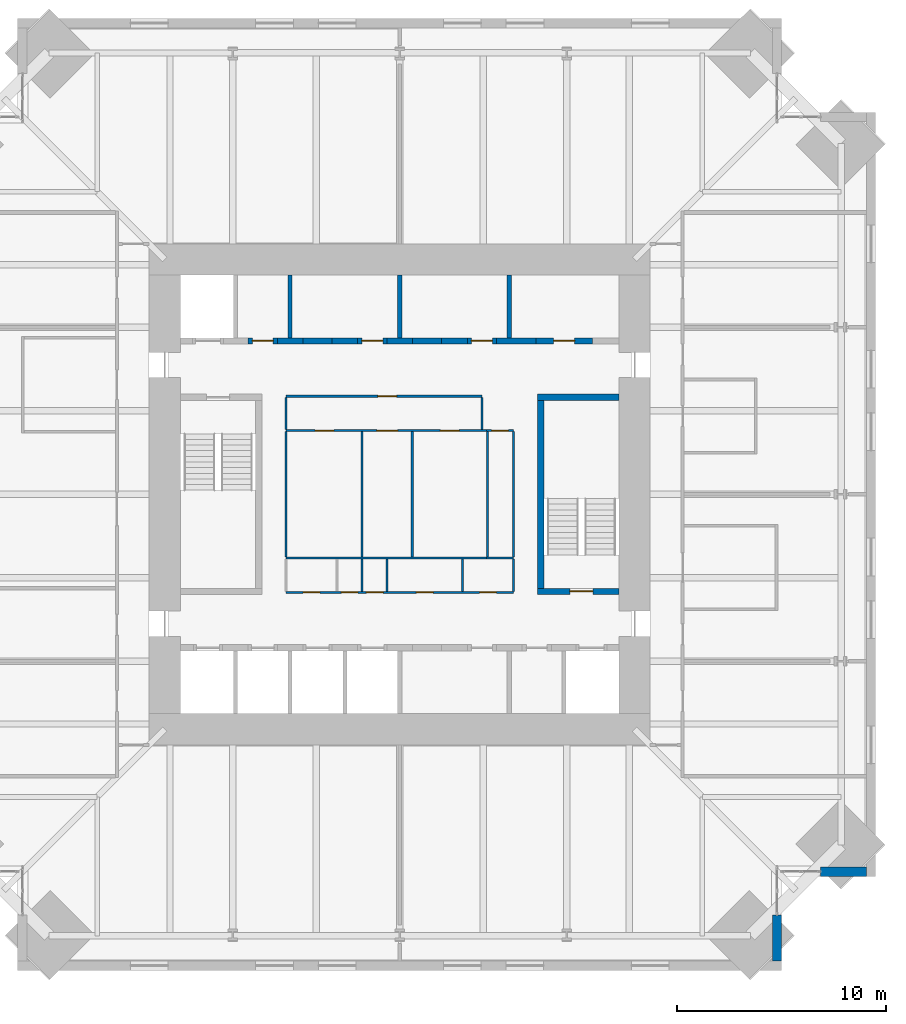
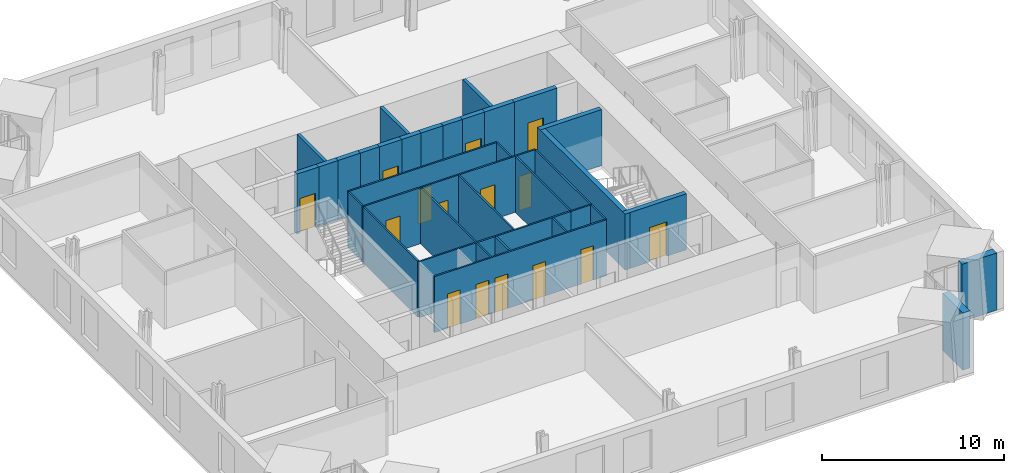
# One storey, part 12 of 15: 36 walls, 15 doors, 15 openings.
"""IFC4 building model written with IfcOpenShell, lengths in metres."""

from ifc_helpers import new_model, si_unit, direction, frame, frame_2d, origin, place, context, subcontext, project, spatial, rectangle, extrude, material, layer, layer_set, type_object, element, fill, save


model = new_model("IFC4")

# Units and contexts
model_context = context("Model", 3, precision=1e-05, world=origin(), true_north=direction((0.0, 1.0)))
body_context = subcontext(model_context, "Body", "Model", "MODEL_VIEW")
ifc_project = project(units=[si_unit("LENGTHUNIT", "METRE"), si_unit("AREAUNIT", "SQUARE_METRE"), si_unit("VOLUMEUNIT", "CUBIC_METRE"), si_unit("PLANEANGLEUNIT", "RADIAN"), si_unit("MASSUNIT", "GRAM", prefix="KILO")], contexts=[model_context])

# Site, building, storey
site_placement = place(None, origin())
site = spatial("IfcSite", under=ifc_project, at=site_placement, CompositionType="ELEMENT")
building_placement = place(site_placement, origin())
building = spatial("IfcBuilding", under=site, at=building_placement, Name="Peilmerk Tower", CompositionType="ELEMENT")
storey_placement = place(building_placement, frame((0.0, 0.0, 241.800048828125)))
storey = spatial("IfcBuildingStorey", under=building, at=storey_placement, Name="L53", CompositionType="ELEMENT", Elevation=241.800048828125)

# Walls
ifc_material_1 = material(Name="Precast concrete C45/55, board-marked finish", Category="concrete")
ifc_layer_1 = layer(ifc_material_1, 0.449951171875)
ifc_layer_set_1 = layer_set([ifc_layer_1], Name="Precast concrete C45/55, board-marked finish")
wall_type_1 = type_object("IfcWallType", Name="EW1 450 precast concrete facade wall, board-marked", PredefinedType="SOLIDWALL", material=ifc_layer_set_1)
for number, where, z_axis, x_axis, name in (
    (1, (18.074951171875, -20.153564453125, 0.0), (0.0, 0.0, 1.0), (0.0, -1.0, 0.0), "Facade wall SEA L53"),
    (2, (20.153564453125, -18.074951171875, 0.0), (0.0, 0.0, 1.0), (1.0, 0.0, 0.0), "Facade wall SEB L53"),
):
    element("IfcWall", number, at=place(storey_placement, frame(where, z_axis=z_axis, x_axis=x_axis)), inside=storey, type_object=wall_type_1, Name=name, PredefinedType="SOLIDWALL", context=body_context, shape_type="SweptSolid", body=[
        extrude(rectangle(XDim=2.196533203125, YDim=0.449951171875, at=frame_2d((1.09814453125, 0.0))), origin(), (0.0, 0.0, 1.0), 3.829833984375),
    ])
ifc_material_2 = material(Name="Concrete C35/45", Category="concrete")
ifc_layer_2 = layer(ifc_material_2, 0.300048828125)
ifc_layer_set_2 = layer_set([ifc_layer_2], Name="Concrete C35/45")
wall_type_2 = type_object("IfcWallType", Name="IW3 300 concrete stair enclosure wall, EI 120", PredefinedType="SOLIDWALL", material=ifc_layer_set_2)
wall_1_placement = place(storey_placement, frame((6.75, -4.800048828125, 0.0), z_axis=(0.0, 0.0, 1.0), x_axis=(0.0, 1.0, 0.0)))
element("IfcWall", 3, at=wall_1_placement, inside=storey, type_object=wall_type_2, Name="Stair 2 enclosure L53", PredefinedType="SOLIDWALL", context=body_context, shape_type="SweptSolid", body=[
    extrude(rectangle(XDim=9.60009765625, YDim=0.300048828125, at=frame_2d((4.800048828125, 0.0))), origin(), (0.0, 0.0, 1.0), 3.75),
])
wall_2_placement = place(storey_placement, frame((6.60009765625, 4.64990234375, 0.0), z_axis=(0.0, 0.0, 1.0), x_axis=(1.0, 0.0, 0.0)))
element("IfcWall", 4, at=wall_2_placement, inside=storey, type_object=wall_type_2, Name="Stair 2 enclosure L53", PredefinedType="SOLIDWALL", context=body_context, shape_type="SweptSolid", body=[
    extrude(rectangle(XDim=3.89990234375, YDim=0.300048828125, at=frame_2d((1.949951171875, 0.0))), origin(), (0.0, 0.0, 1.0), 3.75),
])

# Wall, opening, door
wall_3_placement = place(storey_placement, frame((10.5, -4.64990234375, 0.0), z_axis=(0.0, 0.0, 1.0), x_axis=(-1.0, 0.0, 0.0)))
wall_3 = element("IfcWall", 5, at=wall_3_placement, inside=storey, type_object=wall_type_2, Name="Stair 2 enclosure L53", PredefinedType="SOLIDWALL", context=body_context, shape_type="SweptSolid", body=[
    extrude(rectangle(XDim=3.89990234375, YDim=0.300048828125, at=frame_2d((1.949951171875, 0.0))), origin(), (0.0, 0.0, 1.0), 3.75),
])
opening_1_placement = place(wall_3_placement, frame((1.25, 0.0, 0.0)))
opening_1 = element("IfcOpeningElement", 6, at=opening_1_placement, cuts=wall_3, Name="Opening D4", PredefinedType="OPENING", context=body_context, shape_type="SweptSolid", body=[
    extrude(rectangle(XDim=1.10009765625, YDim=2.300048828125, at=frame_2d((0.550048828125, 1.14990234375))), frame((0.0, 0.159912109375, 0.0), z_axis=(0.0, -1.0, 0.0), x_axis=(1.0, 0.0, 0.0)), (0.0, 0.0, 1.0), 0.320068359375),
])
ifc_material_3 = material(Name="Steel door in steel frame", Category="steel")
door_type_1 = type_object("IfcDoorType", Name="D4 1100x2300 stair door, EI2 60", OperationType="SINGLE_SWING_RIGHT", PredefinedType="DOOR", material=ifc_material_3)
door_1_placement = place(opening_1_placement, frame((1.10009765625, 0.0, 0.0), z_axis=(0.0, 0.0, 1.0), x_axis=(-1.0, 0.0, 0.0)))
door_1 = element("IfcDoor", 7, at=door_1_placement, inside=storey, type_object=door_type_1, Name="Stair 2 door L53", OperationType="SINGLE_SWING_RIGHT", OverallHeight=2.300048828125, OverallWidth=1.10009765625, PredefinedType="DOOR", context=body_context, shape_type="SweptSolid", body=[
    extrude(rectangle(XDim=1.10009765625, YDim=2.300048828125, at=frame_2d((0.550048828125, 1.14990234375))), frame((0.0, 0.02490234375, 0.0), z_axis=(0.0, -1.0, 0.0), x_axis=(1.0, 0.0, 0.0)), (0.0, 0.0, 1.0), 0.050048828125),
])
fill(opening_1, door_1)

# Wall, openings, doors
ifc_material_4 = material(Name="Plasterboard on steel studs", Category="steel")
ifc_layer_3 = layer(ifc_material_4, 0.10009765625)
ifc_layer_set_3 = layer_set([ifc_layer_3], Name="Plasterboard on steel studs")
wall_type_3 = type_object("IfcWallType", Name="IW4 100 WC partition", PredefinedType="PARTITIONING", material=ifc_layer_set_3)
wall_4_placement = place(storey_placement, frame((-5.449951171875, 3.050048828125, 0.0), z_axis=(0.0, 0.0, 1.0), x_axis=(1.0, 0.0, 0.0)))
wall_4 = element("IfcWall", 8, at=wall_4_placement, inside=storey, type_object=wall_type_3, Name="WC wall L53", PredefinedType="PARTITIONING", context=body_context, shape_type="SweptSolid", body=[
    extrude(rectangle(XDim=9.599853515625, YDim=0.10009765625, at=frame_2d((4.7998046875, 0.0))), origin(), (0.0, 0.0, 1.0), 3.75),
])
opening_2_placement = place(wall_4_placement, frame((1.39990234375, 0.0, 0.0)))
opening_2 = element("IfcOpeningElement", 9, at=opening_2_placement, cuts=wall_4, Name="Opening D5", PredefinedType="OPENING", context=body_context, shape_type="SweptSolid", body=[
    extrude(rectangle(XDim=0.89990234375, YDim=2.300048828125, at=frame_2d((0.449951171875, 1.14990234375))), frame((0.0, 0.06005859375, 0.0), z_axis=(0.0, -1.0, 0.0), x_axis=(1.0, 0.0, 0.0)), (0.0, 0.0, 1.0), 0.1201171875),
])
opening_3_placement = place(wall_4_placement, frame((4.35009765625, 0.0, 0.0)))
opening_3 = element("IfcOpeningElement", 10, at=opening_3_placement, cuts=wall_4, Name="Opening D6", PredefinedType="OPENING", context=body_context, shape_type="SweptSolid", body=[
    extrude(rectangle(XDim=1.0, YDim=2.300048828125, at=frame_2d((0.5, 1.14990234375))), frame((0.0, 0.06005859375, 0.0), z_axis=(0.0, -1.0, 0.0), x_axis=(1.0, 0.0, 0.0)), (0.0, 0.0, 1.0), 0.1201171875),
])
opening_4_placement = place(wall_4_placement, frame((7.39990234375, 0.0, 0.0)))
opening_4 = element("IfcOpeningElement", 11, at=opening_4_placement, cuts=wall_4, Name="Opening D5", PredefinedType="OPENING", context=body_context, shape_type="SweptSolid", body=[
    extrude(rectangle(XDim=0.89990234375, YDim=2.300048828125, at=frame_2d((0.449951171875, 1.14990234375))), frame((0.0, 0.06005859375, 0.0), z_axis=(0.0, -1.0, 0.0), x_axis=(1.0, 0.0, 0.0)), (0.0, 0.0, 1.0), 0.1201171875),
])
ifc_material_5 = material(Name="Timber door in steel frame", Category="steel")
door_type_2 = type_object("IfcDoorType", Name="D5 900x2300 WC door", OperationType="SINGLE_SWING_LEFT", PredefinedType="DOOR", material=ifc_material_5)
door_2_placement = place(opening_2_placement, frame((0.89990234375, 0.0, 0.0), z_axis=(0.0, 0.0, 1.0), x_axis=(-1.0, 0.0, 0.0)))
door_2 = element("IfcDoor", 12, at=door_2_placement, inside=storey, type_object=door_type_2, Name="Female toilets door L53", OperationType="SINGLE_SWING_LEFT", OverallHeight=2.300048828125, OverallWidth=0.89990234375, PredefinedType="DOOR", context=body_context, shape_type="SweptSolid", body=[
    extrude(rectangle(XDim=0.89990234375, YDim=2.300048828125, at=frame_2d((0.449951171875, 1.14990234375))), frame((0.0, 0.02490234375, 0.0), z_axis=(0.0, -1.0, 0.0), x_axis=(1.0, 0.0, 0.0)), (0.0, 0.0, 1.0), 0.050048828125),
])
fill(opening_2, door_2)
door_3_placement = place(opening_4_placement, frame((0.89990234375, 0.0, 0.0), z_axis=(0.0, 0.0, 1.0), x_axis=(-1.0, 0.0, 0.0)))
door_3 = element("IfcDoor", 13, at=door_3_placement, inside=storey, type_object=door_type_2, Name="Male toilets door L53", OperationType="SINGLE_SWING_LEFT", OverallHeight=2.300048828125, OverallWidth=0.89990234375, PredefinedType="DOOR", context=body_context, shape_type="SweptSolid", body=[
    extrude(rectangle(XDim=0.89990234375, YDim=2.300048828125, at=frame_2d((0.449951171875, 1.14990234375))), frame((0.0, 0.02490234375, 0.0), z_axis=(0.0, -1.0, 0.0), x_axis=(1.0, 0.0, 0.0)), (0.0, 0.0, 1.0), 0.050048828125),
])
fill(opening_4, door_3)
door_type_3 = type_object("IfcDoorType", Name="D6 1000x2300 accessible WC door", OperationType="SLIDING_TO_LEFT", PredefinedType="DOOR", material=ifc_material_5)
door_4_placement = place(opening_3_placement, frame((1.0, 0.0, 0.0), z_axis=(0.0, 0.0, 1.0), x_axis=(-1.0, 0.0, 0.0)))
door_4 = element("IfcDoor", 14, at=door_4_placement, inside=storey, type_object=door_type_3, Name="Accessible WC door L53", OperationType="SLIDING_TO_LEFT", OverallHeight=2.300048828125, OverallWidth=1.0, PredefinedType="DOOR", context=body_context, shape_type="SweptSolid", body=[
    extrude(rectangle(XDim=1.0, YDim=2.300048828125, at=frame_2d((0.5, 1.14990234375))), frame((0.0, 0.02490234375, 0.0), z_axis=(0.0, -1.0, 0.0), x_axis=(1.0, 0.0, 0.0)), (0.0, 0.0, 1.0), 0.050048828125),
])
fill(opening_3, door_4)

# Walls
wall_5_placement = place(storey_placement, frame((4.14990234375, -3.050048828125, 0.0), z_axis=(0.0, 0.0, 1.0), x_axis=(-1.0, 0.0, 0.0)))
element("IfcWall", 15, at=wall_5_placement, inside=storey, type_object=wall_type_3, Name="WC wall L53", PredefinedType="PARTITIONING", context=body_context, shape_type="SweptSolid", body=[
    extrude(rectangle(XDim=9.599853515625, YDim=0.10009765625, at=frame_2d((4.7998046875, 0.0))), origin(), (0.0, 0.0, 1.0), 3.75),
])
for number, where, z_axis, x_axis, name in (
    (16, (-5.449951171875, -3.0, 0.0), (0.0, 0.0, 1.0), (0.0, 1.0, 0.0), "WC wall L53"),
    (17, (-1.800048828125, -3.0, 0.0), (0.0, 0.0, 1.0), (0.0, 1.0, 0.0), "WC wall L53"),
    (18, (0.60009765625, -3.0, 0.0), (0.0, 0.0, 1.0), (0.0, 1.0, 0.0), "WC wall L53"),
):
    element("IfcWall", number, at=place(storey_placement, frame(where, z_axis=z_axis, x_axis=x_axis)), inside=storey, type_object=wall_type_3, Name=name, PredefinedType="PARTITIONING", context=body_context, shape_type="SweptSolid", body=[
        extrude(rectangle(XDim=6.0, YDim=0.10009765625, at=frame_2d((3.0, 0.0))), origin(), (0.0, 0.0, 1.0), 3.75),
    ])

# Wall, opening, door
ifc_material_6 = material(Name="Calcium silicate board on steel studs", Category="steel")
ifc_layer_4 = layer(ifc_material_6, 0.10009765625)
ifc_layer_set_4 = layer_set([ifc_layer_4], Name="Calcium silicate board on steel studs")
wall_type_4 = type_object("IfcWallType", Name="IW5 100 riser enclosure wall, EI 60", PredefinedType="PARTITIONING", material=ifc_layer_set_4)
wall_6_placement = place(storey_placement, frame((4.14990234375, 3.050048828125, 0.0), z_axis=(0.0, 0.0, 1.0), x_axis=(1.0, 0.0, 0.0)))
wall_6 = element("IfcWall", 19, at=wall_6_placement, inside=storey, type_object=wall_type_4, Name="Riser wall L53", PredefinedType="PARTITIONING", context=body_context, shape_type="SweptSolid", body=[
    extrude(rectangle(XDim=1.300048828125, YDim=0.10009765625, at=frame_2d((0.64990234375, 0.0))), origin(), (0.0, 0.0, 1.0), 3.75),
])
opening_5_placement = place(wall_6_placement, frame((0.25, 0.0, 0.0)))
opening_5 = element("IfcOpeningElement", 20, at=opening_5_placement, cuts=wall_6, Name="Opening D7", PredefinedType="OPENING", context=body_context, shape_type="SweptSolid", body=[
    extrude(rectangle(XDim=0.800048828125, YDim=2.300048828125, at=frame_2d((0.39990234375, 1.14990234375))), frame((0.0, 0.06005859375, 0.0), z_axis=(0.0, -1.0, 0.0), x_axis=(1.0, 0.0, 0.0)), (0.0, 0.0, 1.0), 0.1201171875),
])
door_type_4 = type_object("IfcDoorType", Name="D7 800x2300 riser access door, EI2 60", OperationType="SINGLE_SWING_RIGHT", PredefinedType="DOOR", material=ifc_material_3)
door_5_placement = place(opening_5_placement, frame((0.800048828125, 0.0, 0.0), z_axis=(0.0, 0.0, 1.0), x_axis=(-1.0, 0.0, 0.0)))
door_5 = element("IfcDoor", 21, at=door_5_placement, inside=storey, type_object=door_type_4, Name="Plumbing riser door L53", OperationType="SINGLE_SWING_RIGHT", OverallHeight=2.300048828125, OverallWidth=0.800048828125, PredefinedType="DOOR", context=body_context, shape_type="SweptSolid", body=[
    extrude(rectangle(XDim=0.800048828125, YDim=2.300048828125, at=frame_2d((0.39990234375, 1.14990234375))), frame((0.0, 0.02490234375, 0.0), z_axis=(0.0, -1.0, 0.0), x_axis=(1.0, 0.0, 0.0)), (0.0, 0.0, 1.0), 0.050048828125),
])
fill(opening_5, door_5)

# Walls
wall_7_placement = place(storey_placement, frame((5.449951171875, -3.050048828125, 0.0), z_axis=(0.0, 0.0, 1.0), x_axis=(-1.0, 0.0, 0.0)))
element("IfcWall", 22, at=wall_7_placement, inside=storey, type_object=wall_type_4, Name="Riser wall L53", PredefinedType="PARTITIONING", context=body_context, shape_type="SweptSolid", body=[
    extrude(rectangle(XDim=1.300048828125, YDim=0.10009765625, at=frame_2d((0.64990234375, 0.0))), origin(), (0.0, 0.0, 1.0), 3.75),
])
for number, where, z_axis, x_axis, name in (
    (23, (5.449951171875, 3.0, 0.0), (0.0, 0.0, 1.0), (0.0, -1.0, 0.0), "Riser wall L53"),
    (24, (4.199951171875, -3.0, 0.0), (0.0, 0.0, 1.0), (0.0, 1.0, 0.0), "Riser wall L53"),
):
    element("IfcWall", number, at=place(storey_placement, frame(where, z_axis=z_axis, x_axis=x_axis)), inside=storey, type_object=wall_type_4, Name=name, PredefinedType="PARTITIONING", context=body_context, shape_type="SweptSolid", body=[
        extrude(rectangle(XDim=6.0, YDim=0.10009765625, at=frame_2d((3.0, 0.0))), origin(), (0.0, 0.0, 1.0), 3.75),
    ])

# Wall, openings, doors
wall_8_placement = place(storey_placement, frame((5.449951171875, -4.699951171875, 0.0), z_axis=(0.0, 0.0, 1.0), x_axis=(-1.0, 0.0, 0.0)))
wall_8 = element("IfcWall", 25, at=wall_8_placement, inside=storey, type_object=wall_type_4, Name="Riser wall L53", PredefinedType="PARTITIONING", context=body_context, shape_type="SweptSolid", body=[
    extrude(rectangle(XDim=10.89990234375, YDim=0.10009765625, at=frame_2d((5.449951171875, 0.0))), origin(), (0.0, 0.0, 1.0), 3.75),
])
opening_6_placement = place(wall_8_placement, frame((9.27490234375, 0.0, 0.0)))
opening_6 = element("IfcOpeningElement", 26, at=opening_6_placement, cuts=wall_8, Name="Opening D7", PredefinedType="OPENING", context=body_context, shape_type="SweptSolid", body=[
    extrude(rectangle(XDim=0.800048828125, YDim=2.300048828125, at=frame_2d((0.39990234375, 1.14990234375))), frame((0.0, 0.06005859375, 0.0), z_axis=(0.0, -1.0, 0.0), x_axis=(1.0, 0.0, 0.0)), (0.0, 0.0, 1.0), 0.1201171875),
])
opening_7_placement = place(wall_8_placement, frame((7.449951171875, 0.0, 0.0)))
opening_7 = element("IfcOpeningElement", 27, at=opening_7_placement, cuts=wall_8, Name="Opening D7", PredefinedType="OPENING", context=body_context, shape_type="SweptSolid", body=[
    extrude(rectangle(XDim=0.800048828125, YDim=2.300048828125, at=frame_2d((0.39990234375, 1.14990234375))), frame((0.0, 0.06005859375, 0.0), z_axis=(0.0, -1.0, 0.0), x_axis=(1.0, 0.0, 0.0)), (0.0, 0.0, 1.0), 0.1201171875),
])
opening_8_placement = place(wall_8_placement, frame((6.25, 0.0, 0.0)))
opening_8 = element("IfcOpeningElement", 28, at=opening_8_placement, cuts=wall_8, Name="Opening D7", PredefinedType="OPENING", context=body_context, shape_type="SweptSolid", body=[
    extrude(rectangle(XDim=0.800048828125, YDim=2.300048828125, at=frame_2d((0.39990234375, 1.14990234375))), frame((0.0, 0.06005859375, 0.0), z_axis=(0.0, -1.0, 0.0), x_axis=(1.0, 0.0, 0.0)), (0.0, 0.0, 1.0), 0.1201171875),
])
opening_9_placement = place(wall_8_placement, frame((3.85009765625, 0.0, 0.0)))
opening_9 = element("IfcOpeningElement", 29, at=opening_9_placement, cuts=wall_8, Name="Opening D7", PredefinedType="OPENING", context=body_context, shape_type="SweptSolid", body=[
    extrude(rectangle(XDim=0.800048828125, YDim=2.300048828125, at=frame_2d((0.39990234375, 1.14990234375))), frame((0.0, 0.06005859375, 0.0), z_axis=(0.0, -1.0, 0.0), x_axis=(1.0, 0.0, 0.0)), (0.0, 0.0, 1.0), 0.1201171875),
])
opening_10_placement = place(wall_8_placement, frame((0.824951171875, 0.0, 0.0)))
opening_10 = element("IfcOpeningElement", 30, at=opening_10_placement, cuts=wall_8, Name="Opening D7", PredefinedType="OPENING", context=body_context, shape_type="SweptSolid", body=[
    extrude(rectangle(XDim=0.800048828125, YDim=2.300048828125, at=frame_2d((0.39990234375, 1.14990234375))), frame((0.0, 0.06005859375, 0.0), z_axis=(0.0, -1.0, 0.0), x_axis=(1.0, 0.0, 0.0)), (0.0, 0.0, 1.0), 0.1201171875),
])
door_6_placement = place(opening_6_placement, frame((0.800048828125, 0.0, 0.0), z_axis=(0.0, 0.0, 1.0), x_axis=(-1.0, 0.0, 0.0)))
door_6 = element("IfcDoor", 31, at=door_6_placement, inside=storey, type_object=door_type_4, Name="Cleaner's cupboard door L53", OperationType="SINGLE_SWING_RIGHT", OverallHeight=2.300048828125, OverallWidth=0.800048828125, PredefinedType="DOOR", context=body_context, shape_type="SweptSolid", body=[
    extrude(rectangle(XDim=0.800048828125, YDim=2.300048828125, at=frame_2d((0.39990234375, 1.14990234375))), frame((0.0, 0.02490234375, 0.0), z_axis=(0.0, -1.0, 0.0), x_axis=(1.0, 0.0, 0.0)), (0.0, 0.0, 1.0), 0.050048828125),
])
fill(opening_6, door_6)
door_7_placement = place(opening_7_placement, frame((0.800048828125, 0.0, 0.0), z_axis=(0.0, 0.0, 1.0), x_axis=(-1.0, 0.0, 0.0)))
door_7 = element("IfcDoor", 32, at=door_7_placement, inside=storey, type_object=door_type_4, Name="Electrical riser door L53", OperationType="SINGLE_SWING_RIGHT", OverallHeight=2.300048828125, OverallWidth=0.800048828125, PredefinedType="DOOR", context=body_context, shape_type="SweptSolid", body=[
    extrude(rectangle(XDim=0.800048828125, YDim=2.300048828125, at=frame_2d((0.39990234375, 1.14990234375))), frame((0.0, 0.02490234375, 0.0), z_axis=(0.0, -1.0, 0.0), x_axis=(1.0, 0.0, 0.0)), (0.0, 0.0, 1.0), 0.050048828125),
])
fill(opening_7, door_7)
door_8_placement = place(opening_8_placement, frame((0.800048828125, 0.0, 0.0), z_axis=(0.0, 0.0, 1.0), x_axis=(-1.0, 0.0, 0.0)))
door_8 = element("IfcDoor", 33, at=door_8_placement, inside=storey, type_object=door_type_4, Name="Data riser door L53", OperationType="SINGLE_SWING_RIGHT", OverallHeight=2.300048828125, OverallWidth=0.800048828125, PredefinedType="DOOR", context=body_context, shape_type="SweptSolid", body=[
    extrude(rectangle(XDim=0.800048828125, YDim=2.300048828125, at=frame_2d((0.39990234375, 1.14990234375))), frame((0.0, 0.02490234375, 0.0), z_axis=(0.0, -1.0, 0.0), x_axis=(1.0, 0.0, 0.0)), (0.0, 0.0, 1.0), 0.050048828125),
])
fill(opening_8, door_8)
door_9_placement = place(opening_9_placement, frame((0.800048828125, 0.0, 0.0), z_axis=(0.0, 0.0, 1.0), x_axis=(-1.0, 0.0, 0.0)))
door_9 = element("IfcDoor", 34, at=door_9_placement, inside=storey, type_object=door_type_4, Name="Comms room door L53", OperationType="SINGLE_SWING_RIGHT", OverallHeight=2.300048828125, OverallWidth=0.800048828125, PredefinedType="DOOR", context=body_context, shape_type="SweptSolid", body=[
    extrude(rectangle(XDim=0.800048828125, YDim=2.300048828125, at=frame_2d((0.39990234375, 1.14990234375))), frame((0.0, 0.02490234375, 0.0), z_axis=(0.0, -1.0, 0.0), x_axis=(1.0, 0.0, 0.0)), (0.0, 0.0, 1.0), 0.050048828125),
])
fill(opening_9, door_9)
door_10_placement = place(opening_10_placement, frame((0.800048828125, 0.0, 0.0), z_axis=(0.0, 0.0, 1.0), x_axis=(-1.0, 0.0, 0.0)))
door_10 = element("IfcDoor", 35, at=door_10_placement, inside=storey, type_object=door_type_4, Name="Water meter room door L53", OperationType="SINGLE_SWING_RIGHT", OverallHeight=2.300048828125, OverallWidth=0.800048828125, PredefinedType="DOOR", context=body_context, shape_type="SweptSolid", body=[
    extrude(rectangle(XDim=0.800048828125, YDim=2.300048828125, at=frame_2d((0.39990234375, 1.14990234375))), frame((0.0, 0.02490234375, 0.0), z_axis=(0.0, -1.0, 0.0), x_axis=(1.0, 0.0, 0.0)), (0.0, 0.0, 1.0), 0.050048828125),
])
fill(opening_10, door_10)

# Walls
for number, where, z_axis, x_axis, name in (
    (36, (5.449951171875, -3.10009765625, 0.0), (0.0, 0.0, 1.0), (0.0, -1.0, 0.0), "Riser wall L53"),
    (37, (-1.800048828125, -3.10009765625, 0.0), (0.0, 0.0, 1.0), (0.0, -1.0, 0.0), "Riser wall L53"),
    (38, (-0.60009765625, -3.10009765625, 0.0), (0.0, 0.0, 1.0), (0.0, -1.0, 0.0), "Riser wall L53"),
    (39, (3.0, -3.10009765625, 0.0), (0.0, 0.0, 1.0), (0.0, -1.0, 0.0), "Riser wall L53"),
):
    element("IfcWall", number, at=place(storey_placement, frame(where, z_axis=z_axis, x_axis=x_axis)), inside=storey, type_object=wall_type_4, Name=name, PredefinedType="PARTITIONING", context=body_context, shape_type="SweptSolid", body=[
        extrude(rectangle(XDim=1.5498046875, YDim=0.10009765625, at=frame_2d((0.77490234375, 0.0))), origin(), (0.0, 0.0, 1.0), 3.75),
    ])

# Wall, opening, door
ifc_material_7 = material(Name="Fire-resisting plasterboard on steel studs", Category="steel")
ifc_layer_5 = layer(ifc_material_7, 0.10009765625)
ifc_layer_set_5 = layer_set([ifc_layer_5], Name="Fire-resisting plasterboard on steel studs")
wall_type_5 = type_object("IfcWallType", Name="IW9 100 WC lobby wall, EI 30", PredefinedType="PARTITIONING", material=ifc_layer_set_5)
wall_9_placement = place(storey_placement, frame((-5.449951171875, 4.699951171875, 0.0), z_axis=(0.0, 0.0, 1.0), x_axis=(1.0, 0.0, 0.0)))
wall_9 = element("IfcWall", 40, at=wall_9_placement, inside=storey, type_object=wall_type_5, Name="WC lobby wall L53", PredefinedType="PARTITIONING", context=body_context, shape_type="SweptSolid", body=[
    extrude(rectangle(XDim=9.39990234375, YDim=0.10009765625, at=frame_2d((4.699951171875, 0.0))), origin(), (0.0, 0.0, 1.0), 3.75),
])
opening_11_placement = place(wall_9_placement, frame((4.39990234375, 0.0, 0.0)))
opening_11 = element("IfcOpeningElement", 41, at=opening_11_placement, cuts=wall_9, Name="Opening D11", PredefinedType="OPENING", context=body_context, shape_type="SweptSolid", body=[
    extrude(rectangle(XDim=0.89990234375, YDim=2.300048828125, at=frame_2d((0.449951171875, 1.14990234375))), frame((0.0, 0.06005859375, 0.0), z_axis=(0.0, -1.0, 0.0), x_axis=(1.0, 0.0, 0.0)), (0.0, 0.0, 1.0), 0.1201171875),
])
door_type_5 = type_object("IfcDoorType", Name="D11 900x2300 WC lobby door, EI2 30", OperationType="SINGLE_SWING_LEFT", PredefinedType="DOOR", material=ifc_material_5)
door_11_placement = place(opening_11_placement, frame((0.89990234375, 0.0, 0.0), z_axis=(0.0, 0.0, 1.0), x_axis=(-1.0, 0.0, 0.0)))
door_11 = element("IfcDoor", 42, at=door_11_placement, inside=storey, type_object=door_type_5, Name="WC lobby door L53", OperationType="SINGLE_SWING_LEFT", OverallHeight=2.300048828125, OverallWidth=0.89990234375, PredefinedType="DOOR", context=body_context, shape_type="SweptSolid", body=[
    extrude(rectangle(XDim=0.89990234375, YDim=2.300048828125, at=frame_2d((0.449951171875, 1.14990234375))), frame((0.0, 0.02490234375, 0.0), z_axis=(0.0, -1.0, 0.0), x_axis=(1.0, 0.0, 0.0)), (0.0, 0.0, 1.0), 0.050048828125),
])
fill(opening_11, door_11)

# Walls
for number, where, z_axis, x_axis, name in (
    (43, (-5.449951171875, 3.10009765625, 0.0), (0.0, 0.0, 1.0), (0.0, 1.0, 0.0), "WC lobby wall L53"),
    (44, (3.949951171875, 3.10009765625, 0.0), (0.0, 0.0, 1.0), (0.0, 1.0, 0.0), "WC lobby wall L53"),
):
    element("IfcWall", number, at=place(storey_placement, frame(where, z_axis=z_axis, x_axis=x_axis)), inside=storey, type_object=wall_type_5, Name=name, PredefinedType="PARTITIONING", context=body_context, shape_type="SweptSolid", body=[
        extrude(rectangle(XDim=1.5498046875, YDim=0.10009765625, at=frame_2d((0.77490234375, 0.0))), origin(), (0.0, 0.0, 1.0), 3.75),
    ])
ifc_material_8 = material(Name="Calcium silicate block", Category="masonry")
ifc_layer_6 = layer(ifc_material_8, 0.199951171875)
ifc_layer_set_6 = layer_set([ifc_layer_6], Name="Calcium silicate block")
wall_type_6 = type_object("IfcWallType", Name="SH1 200 shaft dividing wall, EI 120", PredefinedType="PARTITIONING", material=ifc_layer_set_6)
for number, where, z_axis, x_axis, name in (
    (45, (-5.25, 7.5, 0.0), (0.0, 0.0, 1.0), (0.0, 1.0, 0.0), "Shaft wall N A1 L53"),
    (46, (0.0, 7.5, 0.0), (0.0, 0.0, 1.0), (0.0, 1.0, 0.0), "Shaft wall N A3 L53"),
    (47, (5.25, 7.5, 0.0), (0.0, 0.0, 1.0), (0.0, 1.0, 0.0), "Shaft wall N S2 L53"),
):
    element("IfcWall", number, at=place(storey_placement, frame(where, z_axis=z_axis, x_axis=x_axis)), inside=storey, type_object=wall_type_6, Name=name, PredefinedType="PARTITIONING", context=body_context, shape_type="SweptSolid", body=[
        extrude(rectangle(XDim=3.0, YDim=0.199951171875, at=frame_2d((1.5, 0.0))), origin(), (0.0, 0.0, 1.0), 4.0),
    ])

# Wall, opening, door
ifc_layer_7 = layer(ifc_material_8, 0.300048828125)
ifc_layer_set_7 = layer_set([ifc_layer_7], Name="Calcium silicate block")
wall_type_7 = type_object("IfcWallType", Name="SH2 300 lift landing door panel, EI 120", PredefinedType="PARTITIONING", material=ifc_layer_set_7)
wall_10_placement = place(storey_placement, frame((-7.262451171875, 7.35009765625, 0.0), z_axis=(0.0, 0.0, 1.0), x_axis=(1.0, 0.0, 0.0)))
wall_10 = element("IfcWall", 48, at=wall_10_placement, inside=storey, type_object=wall_type_7, Name="Lift door panel N A1 L53", PredefinedType="PARTITIONING", context=body_context, shape_type="SweptSolid", body=[
    extrude(rectangle(XDim=1.39990234375, YDim=0.300048828125, at=frame_2d((0.699951171875, 0.0))), origin(), (0.0, 0.0, 1.0), 4.0),
])
opening_12_placement = place(wall_10_placement, frame((0.199951171875, 0.0, 0.0)))
opening_12 = element("IfcOpeningElement", 49, at=opening_12_placement, cuts=wall_10, Name="Opening D10", PredefinedType="OPENING", context=body_context, shape_type="SweptSolid", body=[
    extrude(rectangle(XDim=1.0, YDim=2.300048828125, at=frame_2d((0.5, 1.14990234375))), frame((0.0, 0.159912109375, 0.0), z_axis=(0.0, -1.0, 0.0), x_axis=(1.0, 0.0, 0.0)), (0.0, 0.0, 1.0), 0.320068359375),
])
door_type_6 = type_object("IfcDoorType", Name="D10 1000x2300 core room door, EI2 60", OperationType="SINGLE_SWING_RIGHT", PredefinedType="DOOR", material=ifc_material_3)
door_12_placement = place(opening_12_placement, origin())
door_12 = element("IfcDoor", 50, at=door_12_placement, inside=storey, type_object=door_type_6, Name="Door Staff WC L53", OperationType="SINGLE_SWING_RIGHT", OverallHeight=2.300048828125, OverallWidth=1.0, PredefinedType="DOOR", context=body_context, shape_type="SweptSolid", body=[
    extrude(rectangle(XDim=1.0, YDim=2.300048828125, at=frame_2d((0.5, 1.14990234375))), frame((0.0, 0.02490234375, 0.0), z_axis=(0.0, -1.0, 0.0), x_axis=(1.0, 0.0, 0.0)), (0.0, 0.0, 1.0), 0.050048828125),
])
fill(opening_12, door_12)

# Wall
wall_11_placement = place(storey_placement, frame((-4.637451171875, 7.35009765625, 0.0), z_axis=(0.0, 0.0, 1.0), x_axis=(1.0, 0.0, 0.0)))
element("IfcWall", 51, at=wall_11_placement, inside=storey, type_object=wall_type_7, Name="Lift door panel N A2 L53", PredefinedType="PARTITIONING", context=body_context, shape_type="SweptSolid", body=[
    extrude(rectangle(XDim=1.39990234375, YDim=0.300048828125, at=frame_2d((0.699951171875, 0.0))), origin(), (0.0, 0.0, 1.0), 4.0),
])

# Wall, opening, door
wall_12_placement = place(storey_placement, frame((-2.012451171875, 7.35009765625, 0.0), z_axis=(0.0, 0.0, 1.0), x_axis=(1.0, 0.0, 0.0)))
wall_12 = element("IfcWall", 52, at=wall_12_placement, inside=storey, type_object=wall_type_7, Name="Lift door panel N A3 L53", PredefinedType="PARTITIONING", context=body_context, shape_type="SweptSolid", body=[
    extrude(rectangle(XDim=1.39990234375, YDim=0.300048828125, at=frame_2d((0.699951171875, 0.0))), origin(), (0.0, 0.0, 1.0), 4.0),
])
opening_13_placement = place(wall_12_placement, frame((0.199951171875, 0.0, 0.0)))
opening_13 = element("IfcOpeningElement", 53, at=opening_13_placement, cuts=wall_12, Name="Opening D10", PredefinedType="OPENING", context=body_context, shape_type="SweptSolid", body=[
    extrude(rectangle(XDim=1.0, YDim=2.300048828125, at=frame_2d((0.5, 1.14990234375))), frame((0.0, 0.159912109375, 0.0), z_axis=(0.0, -1.0, 0.0), x_axis=(1.0, 0.0, 0.0)), (0.0, 0.0, 1.0), 0.320068359375),
])
door_13_placement = place(opening_13_placement, origin())
door_13 = element("IfcDoor", 54, at=door_13_placement, inside=storey, type_object=door_type_6, Name="Door Mail room L53", OperationType="SINGLE_SWING_RIGHT", OverallHeight=2.300048828125, OverallWidth=1.0, PredefinedType="DOOR", context=body_context, shape_type="SweptSolid", body=[
    extrude(rectangle(XDim=1.0, YDim=2.300048828125, at=frame_2d((0.5, 1.14990234375))), frame((0.0, 0.02490234375, 0.0), z_axis=(0.0, -1.0, 0.0), x_axis=(1.0, 0.0, 0.0)), (0.0, 0.0, 1.0), 0.050048828125),
])
fill(opening_13, door_13)

# Wall
wall_13_placement = place(storey_placement, frame((0.612548828125, 7.35009765625, 0.0), z_axis=(0.0, 0.0, 1.0), x_axis=(1.0, 0.0, 0.0)))
element("IfcWall", 55, at=wall_13_placement, inside=storey, type_object=wall_type_7, Name="Lift door panel N S1 L53", PredefinedType="PARTITIONING", context=body_context, shape_type="SweptSolid", body=[
    extrude(rectangle(XDim=1.39990234375, YDim=0.300048828125, at=frame_2d((0.699951171875, 0.0))), origin(), (0.0, 0.0, 1.0), 4.0),
])

# Wall, opening, door
wall_14_placement = place(storey_placement, frame((3.237548828125, 7.35009765625, 0.0), z_axis=(0.0, 0.0, 1.0), x_axis=(1.0, 0.0, 0.0)))
wall_14 = element("IfcWall", 56, at=wall_14_placement, inside=storey, type_object=wall_type_7, Name="Lift door panel N S2 L53", PredefinedType="PARTITIONING", context=body_context, shape_type="SweptSolid", body=[
    extrude(rectangle(XDim=1.39990234375, YDim=0.300048828125, at=frame_2d((0.699951171875, 0.0))), origin(), (0.0, 0.0, 1.0), 4.0),
])
opening_14_placement = place(wall_14_placement, frame((0.199951171875, 0.0, 0.0)))
opening_14 = element("IfcOpeningElement", 57, at=opening_14_placement, cuts=wall_14, Name="Opening D10", PredefinedType="OPENING", context=body_context, shape_type="SweptSolid", body=[
    extrude(rectangle(XDim=1.0, YDim=2.300048828125, at=frame_2d((0.5, 1.14990234375))), frame((0.0, 0.159912109375, 0.0), z_axis=(0.0, -1.0, 0.0), x_axis=(1.0, 0.0, 0.0)), (0.0, 0.0, 1.0), 0.320068359375),
])
door_14_placement = place(opening_14_placement, origin())
door_14 = element("IfcDoor", 58, at=door_14_placement, inside=storey, type_object=door_type_6, Name="Door First aid room L53", OperationType="SINGLE_SWING_RIGHT", OverallHeight=2.300048828125, OverallWidth=1.0, PredefinedType="DOOR", context=body_context, shape_type="SweptSolid", body=[
    extrude(rectangle(XDim=1.0, YDim=2.300048828125, at=frame_2d((0.5, 1.14990234375))), frame((0.0, 0.02490234375, 0.0), z_axis=(0.0, -1.0, 0.0), x_axis=(1.0, 0.0, 0.0)), (0.0, 0.0, 1.0), 0.050048828125),
])
fill(opening_14, door_14)

wall_15_placement = place(storey_placement, frame((6.52490234375, 7.35009765625, 0.0), z_axis=(0.0, 0.0, 1.0), x_axis=(1.0, 0.0, 0.0)))
wall_15 = element("IfcWall", 59, at=wall_15_placement, inside=storey, type_object=wall_type_7, Name="Lift door panel N GL1 L53", PredefinedType="PARTITIONING", context=body_context, shape_type="SweptSolid", body=[
    extrude(rectangle(XDim=2.7001953125, YDim=0.300048828125, at=frame_2d((1.35009765625, 0.0))), origin(), (0.0, 0.0, 1.0), 4.0),
])
opening_15_placement = place(wall_15_placement, frame((0.85009765625, 0.0, 0.0)))
opening_15 = element("IfcOpeningElement", 60, at=opening_15_placement, cuts=wall_15, Name="Opening D10", PredefinedType="OPENING", context=body_context, shape_type="SweptSolid", body=[
    extrude(rectangle(XDim=1.0, YDim=2.300048828125, at=frame_2d((0.5, 1.14990234375))), frame((0.0, 0.159912109375, 0.0), z_axis=(0.0, -1.0, 0.0), x_axis=(1.0, 0.0, 0.0)), (0.0, 0.0, 1.0), 0.320068359375),
])
door_15_placement = place(opening_15_placement, origin())
door_15 = element("IfcDoor", 61, at=door_15_placement, inside=storey, type_object=door_type_6, Name="Door Electrical room L53", OperationType="SINGLE_SWING_RIGHT", OverallHeight=2.300048828125, OverallWidth=1.0, PredefinedType="DOOR", context=body_context, shape_type="SweptSolid", body=[
    extrude(rectangle(XDim=1.0, YDim=2.300048828125, at=frame_2d((0.5, 1.14990234375))), frame((0.0, 0.02490234375, 0.0), z_axis=(0.0, -1.0, 0.0), x_axis=(1.0, 0.0, 0.0)), (0.0, 0.0, 1.0), 0.050048828125),
])
fill(opening_15, door_15)

# Walls
ifc_material_9 = material(Name="Concrete C55/67", Category="concrete")
ifc_layer_8 = layer(ifc_material_9, 0.300048828125)
ifc_layer_set_8 = layer_set([ifc_layer_8], Name="Concrete C55/67")
wall_type_8 = type_object("IfcWallType", Name="SW2 300 lift bank pier", PredefinedType="SHEAR", material=ifc_layer_set_8)
for number, where, z_axis, x_axis, name in (
    (62, (-5.862548828125, 7.35009765625, 0.0), (0.0, 0.0, 1.0), (1.0, 0.0, 0.0), "Lift bank pier N L53"),
    (63, (-3.237548828125, 7.35009765625, 0.0), (0.0, 0.0, 1.0), (1.0, 0.0, 0.0), "Lift bank pier N L53"),
    (64, (-0.612548828125, 7.35009765625, 0.0), (0.0, 0.0, 1.0), (1.0, 0.0, 0.0), "Lift bank pier N L53"),
    (65, (2.012451171875, 7.35009765625, 0.0), (0.0, 0.0, 1.0), (1.0, 0.0, 0.0), "Lift bank pier N L53"),
):
    element("IfcWall", number, at=place(storey_placement, frame(where, z_axis=z_axis, x_axis=x_axis)), inside=storey, type_object=wall_type_8, Name=name, PredefinedType="SHEAR", context=body_context, shape_type="SweptSolid", body=[
        extrude(rectangle(XDim=1.22509765625, YDim=0.300048828125, at=frame_2d((0.612548828125, 0.0))), origin(), (0.0, 0.0, 1.0), 4.0),
    ])
wall_16_placement = place(storey_placement, frame((4.637451171875, 7.35009765625, 0.0), z_axis=(0.0, 0.0, 1.0), x_axis=(1.0, 0.0, 0.0)))
element("IfcWall", 66, at=wall_16_placement, inside=storey, type_object=wall_type_8, Name="Lift bank pier N L53", PredefinedType="SHEAR", context=body_context, shape_type="SweptSolid", body=[
    extrude(rectangle(XDim=1.887451171875, YDim=0.300048828125, at=frame_2d((0.94384765625, 0.0))), origin(), (0.0, 0.0, 1.0), 4.0),
])

save(model, "model.ifc")
